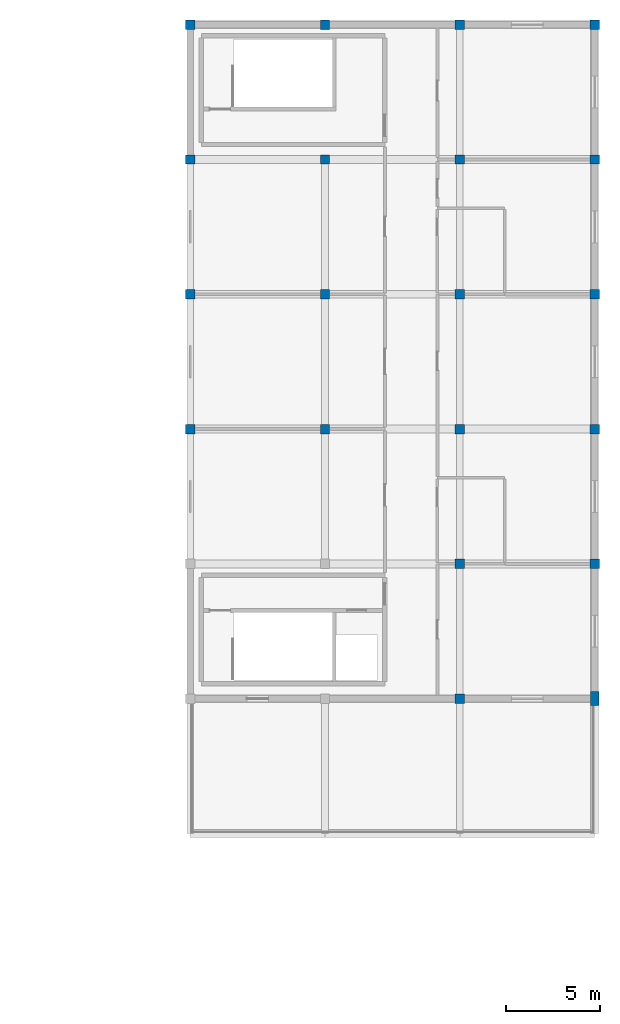
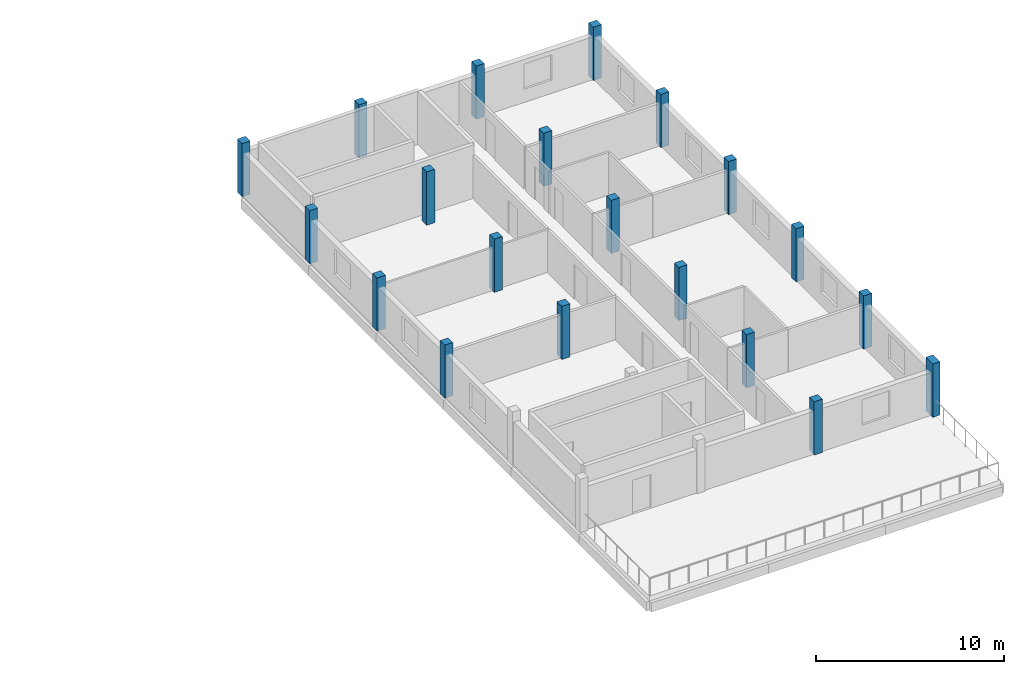
# One storey, part 2 of 26: 20 columns.
"""IFC4 building model written with IfcOpenShell, lengths in metres."""

from ifc_helpers import new_model, si_unit, direction, frame, origin, origin_2d, place, context, subcontext, project, spatial, rectangle, extrude, material, material_profile, profile_set, type_object, element, save


model = new_model("IFC4")

# Units and contexts
model_context = context("Model", 3, precision=1e-05, world=origin(), true_north=direction((0.0, 1.0)))
body_context = subcontext(model_context, "Body", "Model", "MODEL_VIEW")
ifc_project = project(units=[si_unit("LENGTHUNIT", "METRE"), si_unit("AREAUNIT", "SQUARE_METRE"), si_unit("VOLUMEUNIT", "CUBIC_METRE"), si_unit("PLANEANGLEUNIT", "RADIAN"), si_unit("MASSUNIT", "GRAM", prefix="KILO")], contexts=[model_context])

# Site, building, storey
site_placement = place(None, origin())
site = spatial("IfcSite", under=ifc_project, at=site_placement, CompositionType="ELEMENT")
building_placement = place(site_placement, origin())
building = spatial("IfcBuilding", under=site, at=building_placement, Name="Zornivar Specialist Clinic", CompositionType="ELEMENT")
storey_placement = place(building_placement, frame((0.0, 0.0, 19.699951171875)))
storey = spatial("IfcBuildingStorey", under=building, at=storey_placement, Name="L05", CompositionType="ELEMENT", Elevation=19.699951171875)

# Columns
ifc_material_1 = material(Name="Concrete C35/45", Category="concrete")
ifc_material_profile_1 = material_profile(ifc_material_1, rectangle(XDim=0.449951171875, YDim=0.75, at=origin_2d()), Name="RC 450x750")
ifc_profile_set_1 = profile_set([ifc_material_profile_1], Name="Concrete C35/45")
column_type_1 = type_object("IfcColumnType", Name="COL-RC-450x750", PredefinedType="PILASTER", material=ifc_profile_set_1)
column_placement = place(storey_placement, frame((165.60009765625, 72.0, 0.0), z_axis=(0.0, 0.0, 1.0), x_axis=(1.0, 0.0, 0.0)))
element("IfcColumn", 1, at=column_placement, inside=storey, type_object=column_type_1, Name="col:V6:L05:1656_720", PredefinedType="PILASTER", context=body_context, shape_type="SweptSolid", body=[
    extrude(rectangle(XDim=0.449951171875, YDim=0.75, at=origin_2d()), origin(), (0.0, 0.0, 1.0), 3.4599609375),
])
ifc_material_2 = material(Name="Concrete C35/45", Category="concrete")
ifc_material_profile_2 = material_profile(ifc_material_2, rectangle(XDim=0.5, YDim=0.5, at=origin_2d()), Name="RC 500x500")
ifc_profile_set_2 = profile_set([ifc_material_profile_2], Name="Concrete C35/45")
column_type_2 = type_object("IfcColumnType", Name="COL-RC-500", PredefinedType="COLUMN", material=ifc_profile_set_2)
for number, where, z_axis, x_axis, name in (
    (2, (144.0, 86.39990234375, 0.0), (0.0, 0.0, 1.0), (1.0, 0.0, 0.0), "col:V6:L05:1440_864"),
    (3, (144.0, 93.60009765625, 0.0), (0.0, 0.0, 1.0), (1.0, 0.0, 0.0), "col:V6:L05:1440_936"),
    (4, (144.0, 100.800048828125, 0.0), (0.0, 0.0, 1.0), (1.0, 0.0, 0.0), "col:V6:L05:1440_1008"),
    (5, (144.0, 108.0, 0.0), (0.0, 0.0, 1.0), (1.0, 0.0, 0.0), "col:V6:L05:1440_1080"),
    (6, (151.199951171875, 86.39990234375, 0.0), (0.0, 0.0, 1.0), (1.0, 0.0, 0.0), "col:V6:L05:1512_864"),
    (7, (151.199951171875, 93.60009765625, 0.0), (0.0, 0.0, 1.0), (1.0, 0.0, 0.0), "col:V6:L05:1512_936"),
    (8, (151.199951171875, 100.800048828125, 0.0), (0.0, 0.0, 1.0), (1.0, 0.0, 0.0), "col:V6:L05:1512_1008"),
    (9, (151.199951171875, 108.0, 0.0), (0.0, 0.0, 1.0), (1.0, 0.0, 0.0), "col:V6:L05:1512_1080"),
    (10, (158.39990234375, 72.0, 0.0), (0.0, 0.0, 1.0), (1.0, 0.0, 0.0), "col:V6:L05:1584_720"),
    (11, (158.39990234375, 79.199951171875, 0.0), (0.0, 0.0, 1.0), (1.0, 0.0, 0.0), "col:V6:L05:1584_792"),
    (12, (158.39990234375, 86.39990234375, 0.0), (0.0, 0.0, 1.0), (1.0, 0.0, 0.0), "col:V6:L05:1584_864"),
    (13, (158.39990234375, 93.60009765625, 0.0), (0.0, 0.0, 1.0), (1.0, 0.0, 0.0), "col:V6:L05:1584_936"),
    (14, (158.39990234375, 100.800048828125, 0.0), (0.0, 0.0, 1.0), (1.0, 0.0, 0.0), "col:V6:L05:1584_1008"),
    (15, (158.39990234375, 108.0, 0.0), (0.0, 0.0, 1.0), (1.0, 0.0, 0.0), "col:V6:L05:1584_1080"),
    (16, (165.60009765625, 79.199951171875, 0.0), (0.0, 0.0, 1.0), (1.0, 0.0, 0.0), "col:V6:L05:1656_792"),
    (17, (165.60009765625, 86.39990234375, 0.0), (0.0, 0.0, 1.0), (1.0, 0.0, 0.0), "col:V6:L05:1656_864"),
    (18, (165.60009765625, 93.60009765625, 0.0), (0.0, 0.0, 1.0), (1.0, 0.0, 0.0), "col:V6:L05:1656_936"),
    (19, (165.60009765625, 100.800048828125, 0.0), (0.0, 0.0, 1.0), (1.0, 0.0, 0.0), "col:V6:L05:1656_1008"),
    (20, (165.60009765625, 108.0, 0.0), (0.0, 0.0, 1.0), (1.0, 0.0, 0.0), "col:V6:L05:1656_1080"),
):
    element("IfcColumn", number, at=place(storey_placement, frame(where, z_axis=z_axis, x_axis=x_axis)), inside=storey, type_object=column_type_2, Name=name, PredefinedType="COLUMN", context=body_context, shape_type="SweptSolid", body=[
        extrude(rectangle(XDim=0.5, YDim=0.5, at=origin_2d()), origin(), (0.0, 0.0, 1.0), 3.4599609375),
    ])

save(model, "model.ifc")
